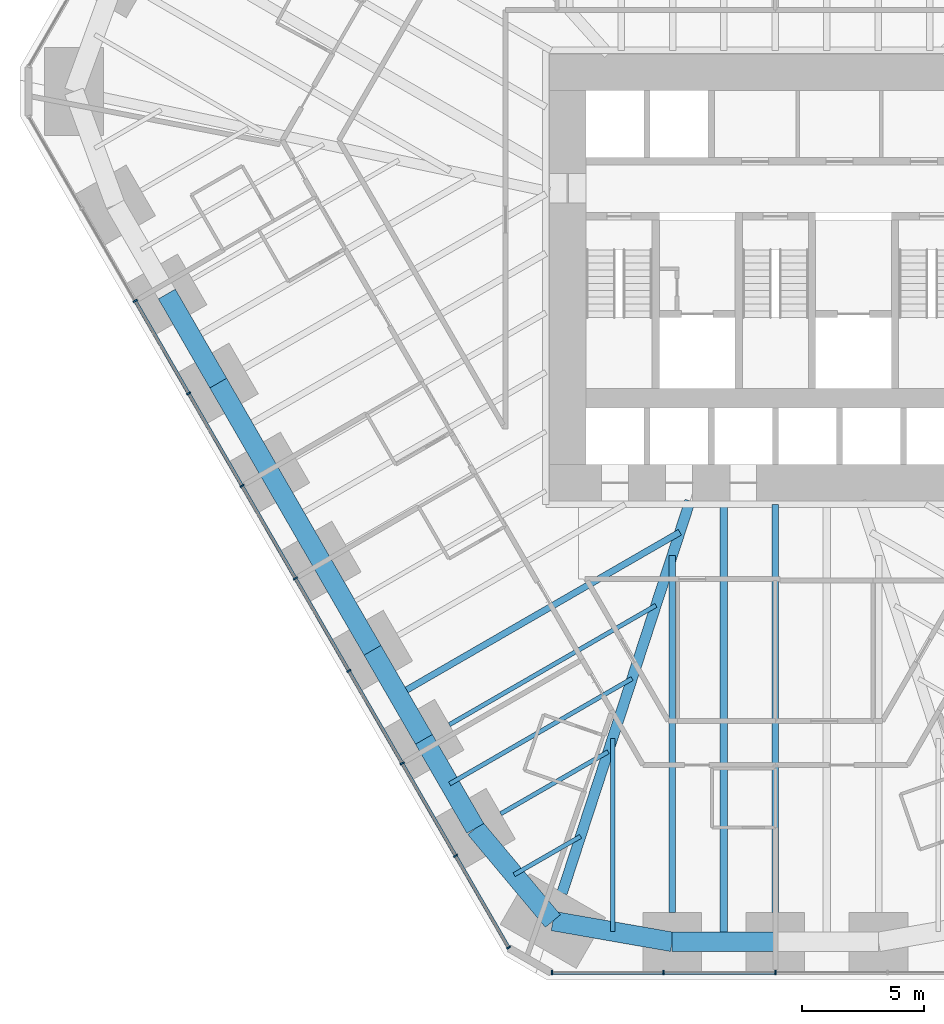
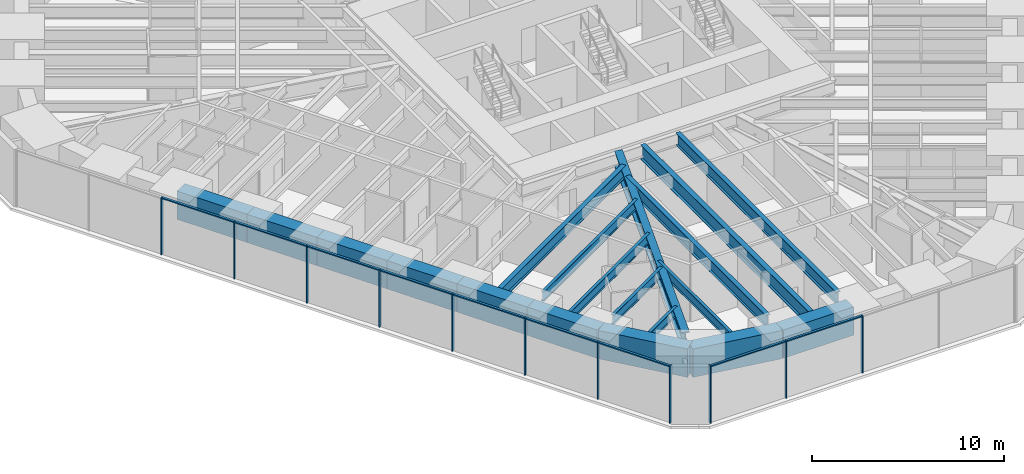
# One storey, part 2 of 17: 20 members, 19 beams, 2 elements without a shape of their own.
"""IFC4 building model written with IfcOpenShell, lengths in metres."""

from ifc_helpers import new_model, si_unit, direction, frame, origin, origin_2d, place, context, subcontext, project, spatial, rectangle, i_section, extrude, material, material_profile, profile_set, type_object, element, aggregate, save


model = new_model("IFC4")

# Units and contexts
model_context = context("Model", 3, precision=1e-05, world=origin(), true_north=direction((0.0, 1.0)))
body_context = subcontext(model_context, "Body", "Model", "MODEL_VIEW")
ifc_project = project(units=[si_unit("LENGTHUNIT", "METRE"), si_unit("AREAUNIT", "SQUARE_METRE"), si_unit("VOLUMEUNIT", "CUBIC_METRE"), si_unit("PLANEANGLEUNIT", "RADIAN"), si_unit("MASSUNIT", "GRAM", prefix="KILO")], contexts=[model_context])

# Site, building, storey
site_placement = place(None, origin())
site = spatial("IfcSite", under=ifc_project, at=site_placement, CompositionType="ELEMENT")
building_placement = place(site_placement, origin())
building = spatial("IfcBuilding", under=site, at=building_placement, Name="Sandreach Pilgrim Tower", CompositionType="ELEMENT")
storey_placement = place(building_placement, frame((0.0, 0.0, 30.60009765625)))
storey = spatial("IfcBuildingStorey", under=building, at=storey_placement, Name="L06", CompositionType="ELEMENT", Elevation=30.60009765625)

# Curtain wall, members
ifc_material_1 = material(Name="Aluminium framed curtain wall", Category="aluminium")
curtain_wall_type = type_object("IfcCurtainWallType", Name="Hostel tower curtain wall", PredefinedType="NOTDEFINED", material=ifc_material_1)
curtain_wall_1_placement = place(storey_placement, origin())
curtain_wall_1 = element("IfcCurtainWall", 1, at=curtain_wall_1_placement, inside=storey, type_object=curtain_wall_type, Name="CW-1 L06 S", PredefinedType="NOTDEFINED")
ifc_material_2 = material(Name="Aluminium extrusion", Category="aluminium")
ifc_material_profile_1 = material_profile(ifc_material_2, rectangle(XDim=0.06494140625, YDim=0.179931640625, at=origin_2d()), Name="CW-1M 65X180")
ifc_profile_set_1 = profile_set([ifc_material_profile_1], Name="Aluminium extrusion")
member_type_1 = type_object("IfcMemberType", Name="CW-1 mullion", PredefinedType="MULLION", material=ifc_profile_set_1)
member_1_placement = place(storey_placement, frame((0.0, -30.010986328125, 0.0), z_axis=(0.0, 0.0, 1.0), x_axis=(-1.0, 0.0, 0.0)))
member_1 = element("IfcMember", 2, at=member_1_placement, type_object=member_type_1, Name="CW-1 mullion 3", PredefinedType="MULLION", context=body_context, shape_type="SweptSolid", body=[
    extrude(rectangle(XDim=0.06494140625, YDim=0.179931640625, at=origin_2d()), origin(), (0.0, 0.0, 1.0), 3.639892578125),
])
member_2_placement = place(storey_placement, frame((-4.5859375, -30.010986328125, 0.0), z_axis=(0.0, 0.0, 1.0), x_axis=(-1.0, 0.0, 0.0)))
member_2 = element("IfcMember", 3, at=member_2_placement, type_object=member_type_1, Name="CW-1 mullion 4", PredefinedType="MULLION", context=body_context, shape_type="SweptSolid", body=[
    extrude(rectangle(XDim=0.06494140625, YDim=0.179931640625, at=origin_2d()), origin(), (0.0, 0.0, 1.0), 3.639892578125),
])
member_3_placement = place(storey_placement, frame((-9.1396484375, -30.010986328125, 0.0), z_axis=(0.0, 0.0, 1.0), x_axis=(-1.0, 0.0, 0.0)))
member_3 = element("IfcMember", 4, at=member_3_placement, type_object=member_type_1, Name="CW-1 mullion 5", PredefinedType="MULLION", context=body_context, shape_type="SweptSolid", body=[
    extrude(rectangle(XDim=0.06494140625, YDim=0.179931640625, at=origin_2d()), origin(), (0.0, 0.0, 1.0), 3.639892578125),
])

curtain_wall_2_placement = place(storey_placement, origin())
curtain_wall_2 = element("IfcCurtainWall", 5, at=curtain_wall_2_placement, inside=storey, type_object=curtain_wall_type, Name="CW-1 L06 SW", PredefinedType="NOTDEFINED")
member_4_placement = place(storey_placement, frame((-10.92041015625, -28.982666015625, 0.0), z_axis=(0.0, 0.0, 1.0), x_axis=(-0.5, 0.866025403784, 0.0)))
member_4 = element("IfcMember", 6, at=member_4_placement, type_object=member_type_1, Name="CW-1 mullion 1", PredefinedType="MULLION", context=body_context, shape_type="SweptSolid", body=[
    extrude(rectangle(XDim=0.06494140625, YDim=0.179931640625, at=origin_2d()), origin(), (0.0, 0.0, 1.0), 3.639892578125),
])
member_5_placement = place(storey_placement, frame((-13.08984375, -25.22509765625, 0.0), z_axis=(0.0, 0.0, 1.0), x_axis=(-0.5, 0.866025403784, 0.0)))
member_5 = element("IfcMember", 7, at=member_5_placement, type_object=member_type_1, Name="CW-1 mullion 2", PredefinedType="MULLION", context=body_context, shape_type="SweptSolid", body=[
    extrude(rectangle(XDim=0.06494140625, YDim=0.179931640625, at=origin_2d()), origin(), (0.0, 0.0, 1.0), 3.639892578125),
])
member_6_placement = place(storey_placement, frame((-15.275634765625, -21.439208984375, 0.0), z_axis=(0.0, 0.0, 1.0), x_axis=(-0.5, 0.866025403784, 0.0)))
member_6 = element("IfcMember", 8, at=member_6_placement, type_object=member_type_1, Name="CW-1 mullion 3", PredefinedType="MULLION", context=body_context, shape_type="SweptSolid", body=[
    extrude(rectangle(XDim=0.06494140625, YDim=0.179931640625, at=origin_2d()), origin(), (0.0, 0.0, 1.0), 3.639892578125),
])
member_7_placement = place(storey_placement, frame((-17.46142578125, -17.6533203125, 0.0), z_axis=(0.0, 0.0, 1.0), x_axis=(-0.5, 0.866025403784, 0.0)))
member_7 = element("IfcMember", 9, at=member_7_placement, type_object=member_type_1, Name="CW-1 mullion 4", PredefinedType="MULLION", context=body_context, shape_type="SweptSolid", body=[
    extrude(rectangle(XDim=0.06494140625, YDim=0.179931640625, at=origin_2d()), origin(), (0.0, 0.0, 1.0), 3.639892578125),
])
member_8_placement = place(storey_placement, frame((-19.647216796875, -13.8671875, 0.0), z_axis=(0.0, 0.0, 1.0), x_axis=(-0.5, 0.866025403784, 0.0)))
member_8 = element("IfcMember", 10, at=member_8_placement, type_object=member_type_1, Name="CW-1 mullion 5", PredefinedType="MULLION", context=body_context, shape_type="SweptSolid", body=[
    extrude(rectangle(XDim=0.06494140625, YDim=0.179931640625, at=origin_2d()), origin(), (0.0, 0.0, 1.0), 3.639892578125),
])
member_9_placement = place(storey_placement, frame((-21.8330078125, -10.081298828125, 0.0), z_axis=(0.0, 0.0, 1.0), x_axis=(-0.5, 0.866025403784, 0.0)))
member_9 = element("IfcMember", 11, at=member_9_placement, type_object=member_type_1, Name="CW-1 mullion 6", PredefinedType="MULLION", context=body_context, shape_type="SweptSolid", body=[
    extrude(rectangle(XDim=0.06494140625, YDim=0.179931640625, at=origin_2d()), origin(), (0.0, 0.0, 1.0), 3.639892578125),
])
member_10_placement = place(storey_placement, frame((-24.018798828125, -6.29541015625, 0.0), z_axis=(0.0, 0.0, 1.0), x_axis=(-0.5, 0.866025403784, 0.0)))
member_10 = element("IfcMember", 12, at=member_10_placement, type_object=member_type_1, Name="CW-1 mullion 7", PredefinedType="MULLION", context=body_context, shape_type="SweptSolid", body=[
    extrude(rectangle(XDim=0.06494140625, YDim=0.179931640625, at=origin_2d()), origin(), (0.0, 0.0, 1.0), 3.639892578125),
])
member_11_placement = place(storey_placement, frame((-26.20458984375, -2.509521484375, 0.0), z_axis=(0.0, 0.0, 1.0), x_axis=(-0.5, 0.866025403784, 0.0)))
member_11 = element("IfcMember", 13, at=member_11_placement, type_object=member_type_1, Name="CW-1 mullion 8", PredefinedType="MULLION", context=body_context, shape_type="SweptSolid", body=[
    extrude(rectangle(XDim=0.06494140625, YDim=0.179931640625, at=origin_2d()), origin(), (0.0, 0.0, 1.0), 3.639892578125),
])

# Member
ifc_material_3 = material(Name="Aluminium extrusion", Category="aluminium")
ifc_material_profile_2 = material_profile(ifc_material_3, rectangle(XDim=0.139892578125, YDim=0.070068359375, at=origin_2d()), Name="CW-1T 140X70")
ifc_profile_set_2 = profile_set([ifc_material_profile_2], Name="Aluminium extrusion")
member_type_2 = type_object("IfcMemberType", Name="CW-1 transom", PredefinedType="USERDEFINED", material=ifc_profile_set_2)
member_12_placement = place(storey_placement, frame((-0.032470703125, -30.010986328125, 3.60498046875), z_axis=(-1.0, 0.0, 0.0), x_axis=(0.0, -1.0, 0.0)))
member_12 = element("IfcMember", 14, at=member_12_placement, type_object=member_type_2, Name="CW-1 head transom 3", ObjectType="TRANSOM", PredefinedType="USERDEFINED", context=body_context, shape_type="SweptSolid", body=[
    extrude(rectangle(XDim=0.139892578125, YDim=0.070068359375, at=origin_2d()), origin(), (0.0, 0.0, 1.0), 4.52099609375),
])

member_13_placement = place(storey_placement, frame((-4.61865234375, -30.010986328125, 3.60498046875), z_axis=(-1.0, 0.0, 0.0), x_axis=(0.0, -1.0, 0.0)))
member_13 = element("IfcMember", 15, at=member_13_placement, type_object=member_type_2, Name="CW-1 head transom 4", ObjectType="TRANSOM", PredefinedType="USERDEFINED", context=body_context, shape_type="SweptSolid", body=[
    extrude(rectangle(XDim=0.139892578125, YDim=0.070068359375, at=origin_2d()), origin(), (0.0, 0.0, 1.0), 4.488525390625),
])

aggregate(curtain_wall_1, [member_1, member_2, member_3, member_12, member_13])

member_14_placement = place(storey_placement, frame((-10.9365234375, -28.95458984375, 3.60498046875), z_axis=(-0.500033953635, 0.866005799756, 0.0), x_axis=(-0.866005799756, -0.500033953635, 0.0)))
member_14 = element("IfcMember", 16, at=member_14_placement, type_object=member_type_2, Name="CW-1 head transom 1", ObjectType="TRANSOM", PredefinedType="USERDEFINED", context=body_context, shape_type="SweptSolid", body=[
    extrude(rectangle(XDim=0.139892578125, YDim=0.070068359375, at=origin_2d()), origin(), (0.0, 0.0, 1.0), 4.274169921875),
])

member_15_placement = place(storey_placement, frame((-13.106201171875, -25.19677734375, 3.60498046875), z_axis=(-0.500016891966, 0.866015650984, 0.0), x_axis=(-0.866015650984, -0.500016891966, 0.0)))
member_15 = element("IfcMember", 17, at=member_15_placement, type_object=member_type_2, Name="CW-1 head transom 2", ObjectType="TRANSOM", PredefinedType="USERDEFINED", context=body_context, shape_type="SweptSolid", body=[
    extrude(rectangle(XDim=0.139892578125, YDim=0.070068359375, at=origin_2d()), origin(), (0.0, 0.0, 1.0), 4.306396484375),
])

member_16_placement = place(storey_placement, frame((-15.2919921875, -21.410888671875, 3.60498046875), z_axis=(-0.500016891966, 0.866015650984, 0.0), x_axis=(-0.866015650984, -0.500016891966, 0.0)))
member_16 = element("IfcMember", 18, at=member_16_placement, type_object=member_type_2, Name="CW-1 head transom 3", ObjectType="TRANSOM", PredefinedType="USERDEFINED", context=body_context, shape_type="SweptSolid", body=[
    extrude(rectangle(XDim=0.139892578125, YDim=0.070068359375, at=origin_2d()), origin(), (0.0, 0.0, 1.0), 4.306396484375),
])

member_17_placement = place(storey_placement, frame((-17.477783203125, -17.625, 3.60498046875), z_axis=(-0.500016891966, 0.866015650984, 0.0), x_axis=(-0.866015650984, -0.500016891966, 0.0)))
member_17 = element("IfcMember", 19, at=member_17_placement, type_object=member_type_2, Name="CW-1 head transom 4", ObjectType="TRANSOM", PredefinedType="USERDEFINED", context=body_context, shape_type="SweptSolid", body=[
    extrude(rectangle(XDim=0.139892578125, YDim=0.070068359375, at=origin_2d()), origin(), (0.0, 0.0, 1.0), 4.306396484375),
])

member_18_placement = place(storey_placement, frame((-19.66357421875, -13.839111328125, 3.60498046875), z_axis=(-0.500016891966, 0.866015650984, 0.0), x_axis=(-0.866015650984, -0.500016891966, 0.0)))
member_18 = element("IfcMember", 20, at=member_18_placement, type_object=member_type_2, Name="CW-1 head transom 5", ObjectType="TRANSOM", PredefinedType="USERDEFINED", context=body_context, shape_type="SweptSolid", body=[
    extrude(rectangle(XDim=0.139892578125, YDim=0.070068359375, at=origin_2d()), origin(), (0.0, 0.0, 1.0), 4.306396484375),
])

member_19_placement = place(storey_placement, frame((-21.849365234375, -10.05322265625, 3.60498046875), z_axis=(-0.500016891966, 0.866015650984, 0.0), x_axis=(-0.866015650984, -0.500016891966, 0.0)))
member_19 = element("IfcMember", 21, at=member_19_placement, type_object=member_type_2, Name="CW-1 head transom 6", ObjectType="TRANSOM", PredefinedType="USERDEFINED", context=body_context, shape_type="SweptSolid", body=[
    extrude(rectangle(XDim=0.139892578125, YDim=0.070068359375, at=origin_2d()), origin(), (0.0, 0.0, 1.0), 4.306396484375),
])

member_20_placement = place(storey_placement, frame((-24.03515625, -6.267333984375, 3.60498046875), z_axis=(-0.500016891966, 0.866015650984, 0.0), x_axis=(-0.866015650984, -0.500016891966, 0.0)))
member_20 = element("IfcMember", 22, at=member_20_placement, type_object=member_type_2, Name="CW-1 head transom 7", ObjectType="TRANSOM", PredefinedType="USERDEFINED", context=body_context, shape_type="SweptSolid", body=[
    extrude(rectangle(XDim=0.139892578125, YDim=0.070068359375, at=origin_2d()), origin(), (0.0, 0.0, 1.0), 4.306396484375),
])

aggregate(curtain_wall_2, [member_4, member_5, member_6, member_7, member_8, member_9, member_10, member_11, member_14, member_15, member_16, member_17, member_18, member_19, member_20])

# Beams
ifc_material_4 = material(Name="Steel ASTM A992 Grade 50", Category="steel")
ifc_material_profile_3 = material_profile(ifc_material_4, i_section(OverallWidth=0.431884765625, OverallDepth=0.988037109375, WebThickness=0.034423828125, FlangeThickness=0.06201171875, at=origin_2d()), Name="W36X441")
ifc_profile_set_3 = profile_set([ifc_material_profile_3], Name="Steel ASTM A992 Grade 50")
beam_type_1 = type_object("IfcBeamType", Name="Corner girder W36X441", PredefinedType="BEAM", material=ifc_profile_set_3)
beam_1_placement = place(storey_placement, frame((-8.73388671875, -26.756103515625, 3.145751953125), z_axis=(0.310315410754, 0.950633654911, 0.0), x_axis=(-0.950633654911, 0.310315410754, 0.0)))
element("IfcBeam", 23, at=beam_1_placement, inside=storey, type_object=beam_type_1, Name="BM L06 CG26", PredefinedType="BEAM", context=body_context, shape_type="SweptSolid", body=[
    extrude(i_section(OverallWidth=0.431884765625, OverallDepth=0.988037109375, WebThickness=0.034423828125, FlangeThickness=0.06201171875, at=origin_2d()), origin(), (0.0, 0.0, 1.0), 16.889892578125),
])
ifc_material_5 = material(Name="Steel ASTM A992 Grade 50", Category="steel")
ifc_material_profile_4 = material_profile(ifc_material_5, i_section(OverallWidth=0.1787109375, OverallDepth=0.60205078125, WebThickness=0.010986328125, FlangeThickness=0.014892578125, at=origin_2d()), Name="W24X62")
ifc_profile_set_4 = profile_set([ifc_material_profile_4], Name="Steel ASTM A992 Grade 50")
beam_type_2 = type_object("IfcBeamType", Name="Floor beam W24X62", PredefinedType="BEAM", material=ifc_profile_set_4)
beam_2_placement = place(storey_placement, frame((-11.242431640625, -23.5048828125, 3.3388671875), z_axis=(0.866027897259, 0.49999568115, 0.0), x_axis=(-0.49999568115, 0.866027897259, 0.0)))
element("IfcBeam", 24, at=beam_2_placement, inside=storey, type_object=beam_type_2, Name="BM L06 F27", PredefinedType="BEAM", context=body_context, shape_type="SweptSolid", body=[
    extrude(i_section(OverallWidth=0.1787109375, OverallDepth=0.60205078125, WebThickness=0.010986328125, FlangeThickness=0.014892578125, at=origin_2d()), origin(), (0.0, 0.0, 1.0), 5.0791015625),
])
beam_3_placement = place(storey_placement, frame((-13.347412109375, -19.859130859375, 3.3388671875), z_axis=(0.866025751498, 0.499999397742, 0.0), x_axis=(-0.499999397742, 0.866025751498, 0.0)))
element("IfcBeam", 25, at=beam_3_placement, inside=storey, type_object=beam_type_2, Name="BM L06 F28", PredefinedType="BEAM", context=body_context, shape_type="SweptSolid", body=[
    extrude(i_section(OverallWidth=0.1787109375, OverallDepth=0.60205078125, WebThickness=0.010986328125, FlangeThickness=0.014892578125, at=origin_2d()), origin(), (0.0, 0.0, 1.0), 9.767578125),
])
beam_4_placement = place(storey_placement, frame((-6.664306640625, -28.323974609375, 3.3388671875), z_axis=(0.0, 1.0, 0.0), x_axis=(-1.0, 0.0, 0.0)))
element("IfcBeam", 26, at=beam_4_placement, inside=storey, type_object=beam_type_2, Name="BM L06 FM25", PredefinedType="BEAM", context=body_context, shape_type="SweptSolid", body=[
    extrude(i_section(OverallWidth=0.1787109375, OverallDepth=0.60205078125, WebThickness=0.010986328125, FlangeThickness=0.014892578125, at=origin_2d()), origin(), (0.0, 0.0, 1.0), 7.907958984375),
])
beam_5_placement = place(storey_placement, frame((-10.694091796875, -26.0009765625, 3.3388671875), z_axis=(0.866023718453, 0.500002919068, 0.0), x_axis=(-0.500002919068, 0.866023718453, 0.0)))
element("IfcBeam", 27, at=beam_5_placement, inside=storey, type_object=beam_type_2, Name="BM L06 FM26", PredefinedType="BEAM", context=body_context, shape_type="SweptSolid", body=[
    extrude(i_section(OverallWidth=0.1787109375, OverallDepth=0.60205078125, WebThickness=0.010986328125, FlangeThickness=0.014892578125, at=origin_2d()), origin(), (0.0, 0.0, 1.0), 3.1396484375),
])
beam_6_placement = place(storey_placement, frame((-13.334228515625, -22.281982421875, 3.3388671875), z_axis=(0.86602717807, 0.499996926835, 0.0), x_axis=(-0.499996926835, 0.86602717807, 0.0)))
element("IfcBeam", 28, at=beam_6_placement, inside=storey, type_object=beam_type_2, Name="BM L06 FM27", PredefinedType="BEAM", context=body_context, shape_type="SweptSolid", body=[
    extrude(i_section(OverallWidth=0.1787109375, OverallDepth=0.60205078125, WebThickness=0.010986328125, FlangeThickness=0.014892578125, at=origin_2d()), origin(), (0.0, 0.0, 1.0), 8.62353515625),
])
ifc_material_6 = material(Name="Steel ASTM A992 Grade 50", Category="steel")
ifc_material_profile_5 = material_profile(ifc_material_6, i_section(OverallWidth=0.2666015625, OverallDepth=0.761962890625, WebThickness=0.014404296875, FlangeThickness=0.021484375, at=origin_2d()), Name="W30X116")
ifc_profile_set_5 = profile_set([ifc_material_profile_5], Name="Steel ASTM A992 Grade 50")
beam_type_3 = type_object("IfcBeamType", Name="Floor beam W30X116", PredefinedType="BEAM", material=ifc_profile_set_5)
beam_7_placement = place(storey_placement, frame((-4.222412109375, -27.55078125, 3.2587890625), z_axis=(0.0, 1.0, 0.0), x_axis=(-1.0, 0.0, 0.0)))
element("IfcBeam", 29, at=beam_7_placement, inside=storey, type_object=beam_type_3, Name="BM L06 F25", PredefinedType="BEAM", context=body_context, shape_type="SweptSolid", body=[
    extrude(i_section(OverallWidth=0.2666015625, OverallDepth=0.761962890625, WebThickness=0.014404296875, FlangeThickness=0.021484375, at=origin_2d()), origin(), (0.0, 0.0, 1.0), 14.61572265625),
])
beam_8_placement = place(storey_placement, frame((-15.43896484375, -18.63623046875, 3.2587890625), z_axis=(0.866021271874, 0.50000715661, 0.0), x_axis=(-0.50000715661, 0.866021271874, 0.0)))
element("IfcBeam", 30, at=beam_8_placement, inside=storey, type_object=beam_type_3, Name="BM L06 FM28", PredefinedType="BEAM", context=body_context, shape_type="SweptSolid", body=[
    extrude(i_section(OverallWidth=0.2666015625, OverallDepth=0.761962890625, WebThickness=0.014404296875, FlangeThickness=0.021484375, at=origin_2d()), origin(), (0.0, 0.0, 1.0), 13.311767578125),
])
ifc_material_7 = material(Name="Steel ASTM A992 Grade 50", Category="steel")
ifc_material_profile_6 = material_profile(ifc_material_7, i_section(OverallWidth=0.2666015625, OverallDepth=0.77978515625, WebThickness=0.0166015625, FlangeThickness=0.030029296875, at=origin_2d()), Name="W30X148")
ifc_profile_set_6 = profile_set([ifc_material_profile_6], Name="Steel ASTM A992 Grade 50")
beam_type_4 = type_object("IfcBeamType", Name="Floor beam W30X148", PredefinedType="BEAM", material=ifc_profile_set_6)
beam_9_placement = place(storey_placement, frame((0.0, -27.55078125, 3.25), z_axis=(0.0, 1.0, 0.0), x_axis=(-1.0, 0.0, 0.0)))
element("IfcBeam", 31, at=beam_9_placement, inside=storey, type_object=beam_type_4, Name="BM L06 F24", PredefinedType="BEAM", context=body_context, shape_type="SweptSolid", body=[
    extrude(i_section(OverallWidth=0.2666015625, OverallDepth=0.77978515625, WebThickness=0.0166015625, FlangeThickness=0.030029296875, at=origin_2d()), origin(), (0.0, 0.0, 1.0), 16.70751953125),
])
ifc_material_8 = material(Name="Steel ASTM A992 Grade 50", Category="steel")
ifc_material_profile_7 = material_profile(ifc_material_8, i_section(OverallWidth=0.3046875, OverallDepth=0.914306640625, WebThickness=0.0166015625, FlangeThickness=0.02587890625, at=origin_2d()), Name="W36X160")
ifc_profile_set_7 = profile_set([ifc_material_profile_7], Name="Steel ASTM A992 Grade 50")
beam_type_5 = type_object("IfcBeamType", Name="Floor beam W36X160", PredefinedType="BEAM", material=ifc_profile_set_7)
beam_10_placement = place(storey_placement, frame((-2.111083984375, -28.7509765625, 3.1826171875), z_axis=(0.0, 1.0, 0.0), x_axis=(-1.0, 0.0, 0.0)))
element("IfcBeam", 32, at=beam_10_placement, inside=storey, type_object=beam_type_5, Name="BM L06 FM24", PredefinedType="BEAM", context=body_context, shape_type="SweptSolid", body=[
    extrude(i_section(OverallWidth=0.3046875, OverallDepth=0.914306640625, WebThickness=0.0166015625, FlangeThickness=0.02587890625, at=origin_2d()), origin(), (0.0, 0.0, 1.0), 17.90771484375),
])
ifc_material_9 = material(Name="Concrete 10000 psi", Category="concrete")
ifc_material_profile_8 = material_profile(ifc_material_9, rectangle(XDim=0.800048828125, YDim=1.800048828125, at=origin_2d()), Name="RC800X1800")
ifc_profile_set_8 = profile_set([ifc_material_profile_8], Name="Concrete 10000 psi")
beam_type_6 = type_object("IfcBeamType", Name="Spandrel beam RC800X1800", PredefinedType="SPANDREL", material=ifc_profile_set_8)
beam_11_placement = place(storey_placement, frame((0.0, -28.7509765625, 2.739990234375), z_axis=(-1.0, 0.0, 0.0), x_axis=(0.0, -1.0, 0.0)))
element("IfcBeam", 33, at=beam_11_placement, inside=storey, type_object=beam_type_6, Name="BM L06 SP24", PredefinedType="SPANDREL", context=body_context, shape_type="SweptSolid", body=[
    extrude(rectangle(XDim=0.800048828125, YDim=1.800048828125, at=origin_2d()), origin(), (0.0, 0.0, 1.0), 4.222412109375),
])
beam_12_placement = place(storey_placement, frame((-4.222412109375, -28.7509765625, 2.739990234375), z_axis=(-0.985054495501, 0.17224297052, 0.0), x_axis=(-0.17224297052, -0.985054495501, 0.0)))
element("IfcBeam", 34, at=beam_12_placement, inside=storey, type_object=beam_type_6, Name="BM L06 SP25", PredefinedType="SPANDREL", context=body_context, shape_type="SweptSolid", body=[
    extrude(rectangle(XDim=0.800048828125, YDim=1.800048828125, at=origin_2d()), origin(), (0.0, 0.0, 1.0), 4.958251953125),
])
beam_13_placement = place(storey_placement, frame((-9.1064453125, -27.89697265625, 2.739990234375), z_axis=(-0.642008193922, 0.766697775488, 0.0), x_axis=(-0.766697775488, -0.642008193922, 0.0)))
element("IfcBeam", 35, at=beam_13_placement, inside=storey, type_object=beam_type_6, Name="BM L06 SP26", PredefinedType="SPANDREL", context=body_context, shape_type="SweptSolid", body=[
    extrude(rectangle(XDim=0.800048828125, YDim=1.800048828125, at=origin_2d()), origin(), (0.0, 0.0, 1.0), 4.94580078125),
])
beam_14_placement = place(storey_placement, frame((-12.28173828125, -24.10498046875, 2.739990234375), z_axis=(-0.499993523031, 0.866029143232, 0.0), x_axis=(-0.866029143232, -0.499993523031, 0.0)))
element("IfcBeam", 36, at=beam_14_placement, inside=storey, type_object=beam_type_6, Name="BM L06 SP27", PredefinedType="SPANDREL", context=body_context, shape_type="SweptSolid", body=[
    extrude(rectangle(XDim=0.800048828125, YDim=1.800048828125, at=origin_2d()), origin(), (0.0, 0.0, 1.0), 4.2099609375),
])
beam_15_placement = place(storey_placement, frame((-14.38671875, -20.458984375, 2.739990234375), z_axis=(-0.499975138639, 0.866039757022, 0.0), x_axis=(-0.866039757022, -0.499975138639, 0.0)))
element("IfcBeam", 37, at=beam_15_placement, inside=storey, type_object=beam_type_6, Name="BM L06 SP28", PredefinedType="SPANDREL", context=body_context, shape_type="SweptSolid", body=[
    extrude(rectangle(XDim=0.800048828125, YDim=1.800048828125, at=origin_2d()), origin(), (0.0, 0.0, 1.0), 4.209716796875),
])
beam_16_placement = place(storey_placement, frame((-16.491455078125, -16.813232421875, 2.739990234375), z_axis=(-0.499993523031, 0.866029143232, 0.0), x_axis=(-0.866029143232, -0.499993523031, 0.0)))
element("IfcBeam", 38, at=beam_16_placement, inside=storey, type_object=beam_type_6, Name="BM L06 SP29", PredefinedType="SPANDREL", context=body_context, shape_type="SweptSolid", body=[
    extrude(rectangle(XDim=0.800048828125, YDim=1.800048828125, at=origin_2d()), origin(), (0.0, 0.0, 1.0), 4.2099609375),
])
beam_17_placement = place(storey_placement, frame((-18.596435546875, -13.167236328125, 2.739990234375), z_axis=(-0.50001863446, 0.866014644907, 0.0), x_axis=(-0.866014644907, -0.50001863446, 0.0)))
element("IfcBeam", 39, at=beam_17_placement, inside=storey, type_object=beam_type_6, Name="BM L06 SP30", PredefinedType="SPANDREL", context=body_context, shape_type="SweptSolid", body=[
    extrude(rectangle(XDim=0.800048828125, YDim=1.800048828125, at=origin_2d()), origin(), (0.0, 0.0, 1.0), 4.209716796875),
])
beam_18_placement = place(storey_placement, frame((-20.701416015625, -9.521484375, 2.739990234375), z_axis=(-0.499993523031, 0.866029143232, 0.0), x_axis=(-0.866029143232, -0.499993523031, 0.0)))
element("IfcBeam", 40, at=beam_18_placement, inside=storey, type_object=beam_type_6, Name="BM L06 SP31", PredefinedType="SPANDREL", context=body_context, shape_type="SweptSolid", body=[
    extrude(rectangle(XDim=0.800048828125, YDim=1.800048828125, at=origin_2d()), origin(), (0.0, 0.0, 1.0), 4.2099609375),
])
beam_19_placement = place(storey_placement, frame((-22.806396484375, -5.87548828125, 2.739990234375), z_axis=(-0.50001863446, 0.866014644907, 0.0), x_axis=(-0.866014644907, -0.50001863446, 0.0)))
element("IfcBeam", 41, at=beam_19_placement, inside=storey, type_object=beam_type_6, Name="BM L06 SP32", PredefinedType="SPANDREL", context=body_context, shape_type="SweptSolid", body=[
    extrude(rectangle(XDim=0.800048828125, YDim=1.800048828125, at=origin_2d()), origin(), (0.0, 0.0, 1.0), 4.209716796875),
])

save(model, "model.ifc")
